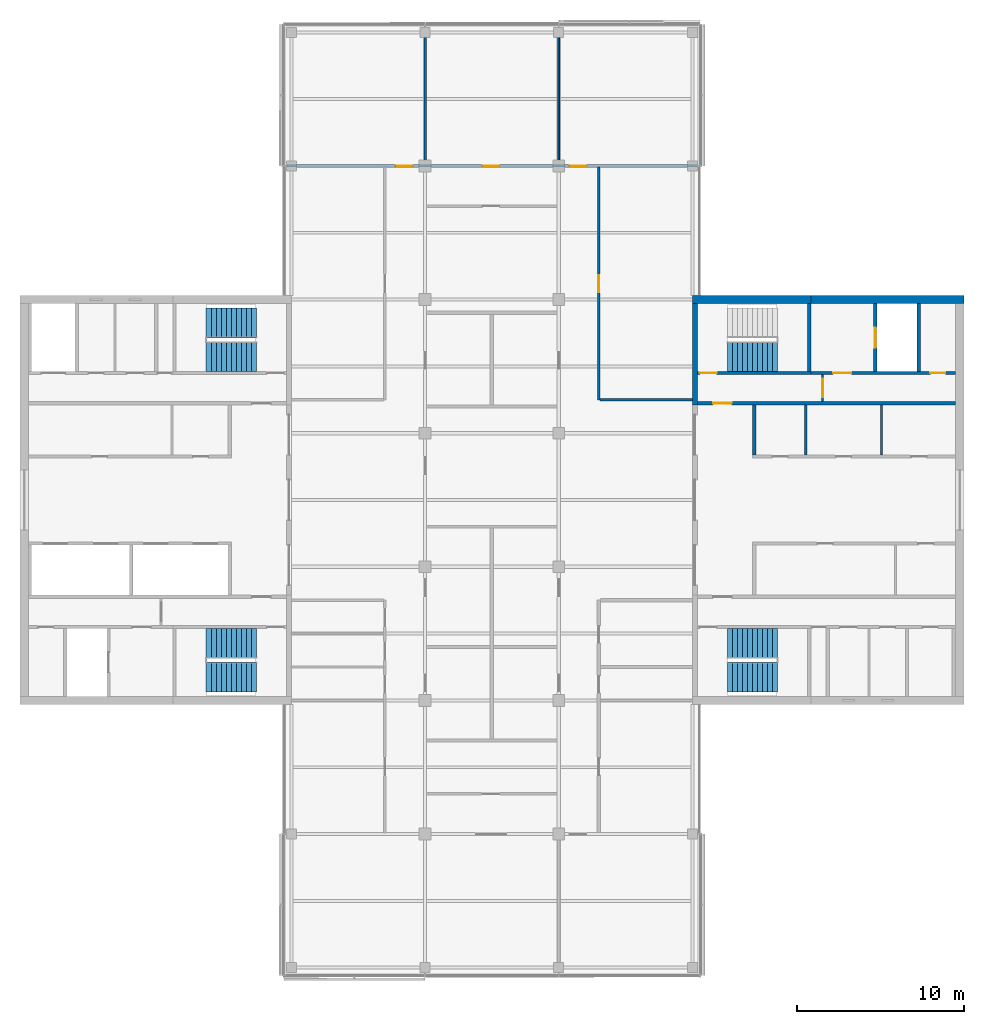
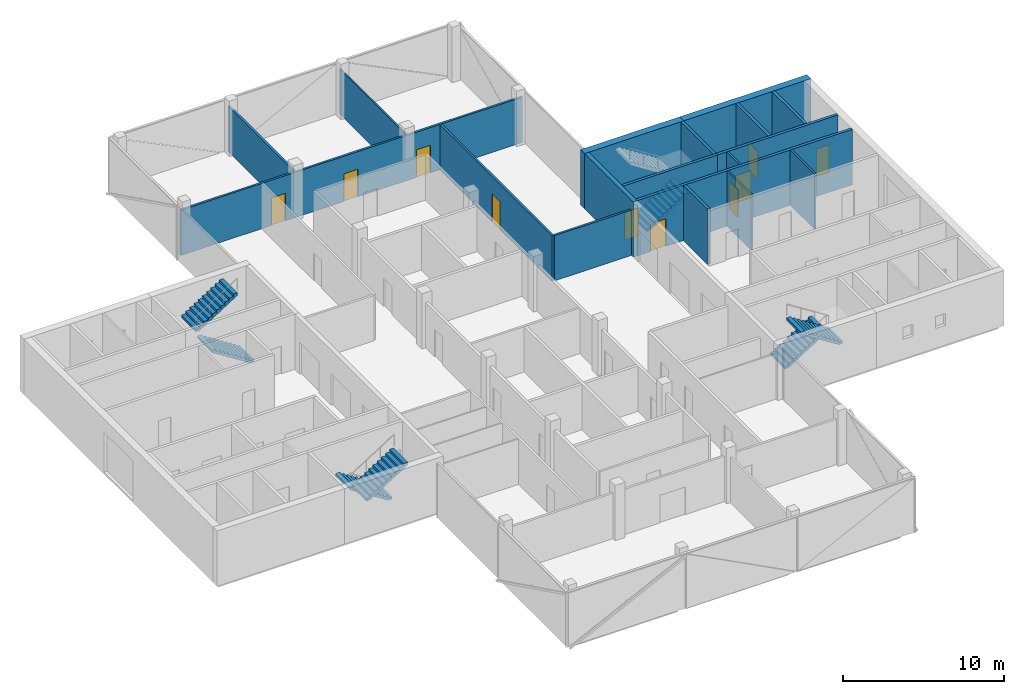
# One storey, part 12 of 16: 18 walls, 10 doors, 7 stair flights, 10 openings, 4 elements without a shape of their own.
"""IFC4 building model written with IfcOpenShell, lengths in metres."""

from ifc_helpers import new_model, si_unit, direction, frame, frame_2d, origin, place, context, subcontext, project, spatial, polyline, rectangle, outline, extrude, material, layer, layer_set, constituent, constituent_set, type_object, element, fill, aggregate, save


model = new_model("IFC4")

# Units and contexts
model_context = context("Model", 3, precision=1e-05, world=origin(), true_north=direction((0.0, 1.0)))
body_context = subcontext(model_context, "Body", "Model", "MODEL_VIEW")
ifc_project = project(units=[si_unit("LENGTHUNIT", "METRE"), si_unit("AREAUNIT", "SQUARE_METRE"), si_unit("VOLUMEUNIT", "CUBIC_METRE"), si_unit("PLANEANGLEUNIT", "RADIAN"), si_unit("MASSUNIT", "GRAM", prefix="KILO")], contexts=[model_context])

# Site, building, storey
site_placement = place(None, origin())
site = spatial("IfcSite", under=ifc_project, at=site_placement, CompositionType="ELEMENT")
building_placement = place(site_placement, origin())
building = spatial("IfcBuilding", under=site, at=building_placement, Name="Crosswind Convention Tower", CompositionType="ELEMENT")
storey_placement = place(building_placement, frame((0.0, 0.0, 287.10009765625)))
storey = spatial("IfcBuildingStorey", under=building, at=storey_placement, Name="L62", CompositionType="ELEMENT", Elevation=287.10009765625)

# Walls
ifc_material_1 = material(Name="Concrete C50/60", Category="concrete")
ifc_layer_1 = layer(ifc_material_1, 0.300048828125)
ifc_layer_set_1 = layer_set([ifc_layer_1], Name="Concrete C50/60")
wall_type_1 = type_object("IfcWallType", Name="Concrete inner core wall 300", PredefinedType="SHEAR", material=ifc_layer_set_1)
wall_1_placement = place(storey_placement, frame((137.14990234375, 105.699951171875, 0.0), z_axis=(0.0, 0.0, 1.0), x_axis=(0.0, 1.0, 0.0)))
element("IfcWall", 1, at=wall_1_placement, inside=storey, type_object=wall_type_1, Name="Wall EP E L62", PredefinedType="SHEAR", context=body_context, shape_type="SweptSolid", body=[
    extrude(rectangle(XDim=6.050048828125, YDim=0.300048828125, at=frame_2d((3.02490234375, 0.0))), origin(), (0.0, 0.0, 1.0), 4.199951171875),
])
ifc_layer_2 = layer(ifc_material_1, 0.199951171875)
ifc_layer_set_2 = layer_set([ifc_layer_2], Name="Concrete C50/60")
wall_type_2 = type_object("IfcWallType", Name="Concrete shaft and stair wall 200", PredefinedType="SHEAR", material=ifc_layer_set_2)
wall_2_placement = place(storey_placement, frame((140.699951171875, 102.699951171875, 0.0), z_axis=(0.0, 0.0, 1.0), x_axis=(0.0, 1.0, 0.0)))
element("IfcWall", 2, at=wall_2_placement, inside=storey, type_object=wall_type_2, Name="Wall RPEND E L62", PredefinedType="SHEAR", context=body_context, shape_type="SweptSolid", body=[
    extrude(rectangle(XDim=3.0, YDim=0.199951171875, at=frame_2d((1.5, 0.0))), origin(), (0.0, 0.0, 1.0), 4.199951171875),
])

# Wall, opening, door
wall_3_placement = place(storey_placement, frame((137.300048828125, 105.800048828125, 0.0), z_axis=(0.0, 0.0, 1.0), x_axis=(1.0, 0.0, 0.0)))
wall_3 = element("IfcWall", 3, at=wall_3_placement, inside=storey, type_object=wall_type_2, Name="Wall HP E L62", PredefinedType="SHEAR", context=body_context, shape_type="SweptSolid", body=[
    extrude(rectangle(XDim=15.449951171875, YDim=0.199951171875, at=frame_2d((7.72509765625, 0.0))), origin(), (0.0, 0.0, 1.0), 4.199951171875),
])
opening_1_placement = place(wall_3_placement, frame((0.949951171875, 0.0, 0.0)))
opening_1 = element("IfcOpeningElement", 4, at=opening_1_placement, cuts=wall_3, Name="Opening D104", PredefinedType="OPENING", context=body_context, shape_type="SweptSolid", body=[
    extrude(rectangle(XDim=1.10009765625, YDim=2.10009765625, at=frame_2d((0.550048828125, 1.050048828125))), frame((0.0, 0.10986328125, 0.0), z_axis=(0.0, -1.0, 0.0), x_axis=(1.0, 0.0, 0.0)), (0.0, 0.0, 1.0), 0.219970703125),
])
ifc_material_2 = material(Name="Steel fire door", Category="steel")
door_type_1 = type_object("IfcDoorType", Name="Fire-rated single door 1100x2100", OperationType="NOTDEFINED", PredefinedType="DOOR", material=ifc_material_2)
door_1_placement = place(opening_1_placement, origin())
door_1 = element("IfcDoor", 5, at=door_1_placement, inside=storey, type_object=door_type_1, Name="Corridor door L62", ObjectType="D104", OperationType="SINGLE_SWING_LEFT", OverallHeight=2.10009765625, OverallWidth=1.10009765625, PredefinedType="DOOR", context=body_context, shape_type="SweptSolid", body=[
    extrude(rectangle(XDim=1.10009765625, YDim=2.10009765625, at=frame_2d((0.550048828125, 1.050048828125))), frame((0.0, 0.02490234375, 0.0), z_axis=(0.0, -1.0, 0.0), x_axis=(1.0, 0.0, 0.0)), (0.0, 0.0, 1.0), 0.050048828125),
])
fill(opening_1, door_1)

# Wall
wall_4_placement = place(storey_placement, frame((144.0, 107.699951171875, 0.0), z_axis=(0.0, 0.0, 1.0), x_axis=(0.0, 1.0, 0.0)))
element("IfcWall", 6, at=wall_4_placement, inside=storey, type_object=wall_type_2, Name="Wall PSE E L62", PredefinedType="SHEAR", context=body_context, shape_type="SweptSolid", body=[
    extrude(rectangle(XDim=4.050048828125, YDim=0.199951171875, at=frame_2d((2.02490234375, 0.0))), origin(), (0.0, 0.0, 1.0), 4.199951171875),
])

# Wall, opening, door
wall_5_placement = place(storey_placement, frame((147.949951171875, 107.699951171875, 0.0), z_axis=(0.0, 0.0, 1.0), x_axis=(0.0, 1.0, 0.0)))
wall_5 = element("IfcWall", 7, at=wall_5_placement, inside=storey, type_object=wall_type_2, Name="Wall PFLW E L62", PredefinedType="SHEAR", context=body_context, shape_type="SweptSolid", body=[
    extrude(rectangle(XDim=4.050048828125, YDim=0.199951171875, at=frame_2d((2.02490234375, 0.0))), origin(), (0.0, 0.0, 1.0), 4.199951171875),
])
opening_2_placement = place(wall_5_placement, frame((1.425048828125, 0.0, 0.0)))
opening_2 = element("IfcOpeningElement", 8, at=opening_2_placement, cuts=wall_5, Name="Opening LD1", PredefinedType="OPENING", context=body_context, shape_type="SweptSolid", body=[
    extrude(rectangle(XDim=1.199951171875, YDim=2.10009765625, at=frame_2d((0.60009765625, 1.050048828125))), frame((0.0, 0.10986328125, 0.0), z_axis=(0.0, -1.0, 0.0), x_axis=(1.0, 0.0, 0.0)), (0.0, 0.0, 1.0), 0.219970703125),
])
ifc_material_3 = material(Name="Stainless steel", Category="steel")
door_type_2 = type_object("IfcDoorType", Name="Lift landing door 1200x2100", OperationType="DOUBLE_DOOR_SLIDING", PredefinedType="DOOR", material=ifc_material_3)
door_2_placement = place(opening_2_placement, origin())
door_2 = element("IfcDoor", 9, at=door_2_placement, inside=storey, type_object=door_type_2, Name="Landing door FF1 L62", ObjectType="LD1", OperationType="DOUBLE_DOOR_SLIDING", OverallHeight=2.10009765625, OverallWidth=1.199951171875, PredefinedType="DOOR", context=body_context, shape_type="SweptSolid", body=[
    extrude(rectangle(XDim=1.199951171875, YDim=2.10009765625, at=frame_2d((0.60009765625, 1.050048828125))), frame((0.0, 0.02490234375, 0.0), z_axis=(0.0, -1.0, 0.0), x_axis=(1.0, 0.0, 0.0)), (0.0, 0.0, 1.0), 0.050048828125),
])
fill(opening_2, door_2)

# Wall
wall_6_placement = place(storey_placement, frame((150.550048828125, 107.699951171875, 0.0), z_axis=(0.0, 0.0, 1.0), x_axis=(0.0, 1.0, 0.0)))
element("IfcWall", 10, at=wall_6_placement, inside=storey, type_object=wall_type_2, Name="Wall PFSE E L62", PredefinedType="SHEAR", context=body_context, shape_type="SweptSolid", body=[
    extrude(rectangle(XDim=4.050048828125, YDim=0.199951171875, at=frame_2d((2.02490234375, 0.0))), origin(), (0.0, 0.0, 1.0), 4.199951171875),
])

# Wall, opening, door
wall_7_placement = place(storey_placement, frame((137.300048828125, 107.60009765625, 0.0), z_axis=(0.0, 0.0, 1.0), x_axis=(1.0, 0.0, 0.0)))
wall_7 = element("IfcWall", 11, at=wall_7_placement, inside=storey, type_object=wall_type_2, Name="Wall PCW E L62", PredefinedType="SHEAR", context=body_context, shape_type="SweptSolid", body=[
    extrude(rectangle(XDim=6.800048828125, YDim=0.199951171875, at=frame_2d((3.39990234375, 0.0))), origin(), (0.0, 0.0, 1.0), 4.199951171875),
])
opening_3_placement = place(wall_7_placement, frame((0.14990234375, 0.0, 0.0)))
opening_3 = element("IfcOpeningElement", 12, at=opening_3_placement, cuts=wall_7, Name="Opening D103", PredefinedType="OPENING", context=body_context, shape_type="SweptSolid", body=[
    extrude(rectangle(XDim=1.0, YDim=2.10009765625, at=frame_2d((0.5, 1.050048828125))), frame((0.0, 0.10986328125, 0.0), z_axis=(0.0, -1.0, 0.0), x_axis=(1.0, 0.0, 0.0)), (0.0, 0.0, 1.0), 0.219970703125),
])
door_type_3 = type_object("IfcDoorType", Name="Fire-rated single door 1000x2100", OperationType="NOTDEFINED", PredefinedType="DOOR", material=ifc_material_2)
door_3_placement = place(opening_3_placement, origin())
door_3 = element("IfcDoor", 13, at=door_3_placement, inside=storey, type_object=door_type_3, Name="Stair ST1 door L62", ObjectType="D103", OperationType="SINGLE_SWING_LEFT", OverallHeight=2.10009765625, OverallWidth=1.0, PredefinedType="DOOR", context=body_context, shape_type="SweptSolid", body=[
    extrude(rectangle(XDim=1.0, YDim=2.10009765625, at=frame_2d((0.5, 1.050048828125))), frame((0.0, 0.02490234375, 0.0), z_axis=(0.0, -1.0, 0.0), x_axis=(1.0, 0.0, 0.0)), (0.0, 0.0, 1.0), 0.050048828125),
])
fill(opening_3, door_3)

# Wall, openings, doors
wall_8_placement = place(storey_placement, frame((144.10009765625, 107.60009765625, 0.0), z_axis=(0.0, 0.0, 1.0), x_axis=(1.0, 0.0, 0.0)))
wall_8 = element("IfcWall", 14, at=wall_8_placement, inside=storey, type_object=wall_type_2, Name="Wall PCX E L62", PredefinedType="SHEAR", context=body_context, shape_type="SweptSolid", body=[
    extrude(rectangle(XDim=8.64990234375, YDim=0.199951171875, at=frame_2d((4.324951171875, 0.0))), origin(), (0.0, 0.0, 1.0), 4.199951171875),
])
opening_4_placement = place(wall_8_placement, frame((1.324951171875, 0.0, 0.0)))
opening_4 = element("IfcOpeningElement", 15, at=opening_4_placement, cuts=wall_8, Name="Opening D104", PredefinedType="OPENING", context=body_context, shape_type="SweptSolid", body=[
    extrude(rectangle(XDim=1.10009765625, YDim=2.10009765625, at=frame_2d((0.550048828125, 1.050048828125))), frame((0.0, 0.10986328125, 0.0), z_axis=(0.0, -1.0, 0.0), x_axis=(1.0, 0.0, 0.0)), (0.0, 0.0, 1.0), 0.219970703125),
])
opening_5_placement = place(wall_8_placement, frame((7.14990234375, 0.0, 0.0)))
opening_5 = element("IfcOpeningElement", 16, at=opening_5_placement, cuts=wall_8, Name="Opening D106", PredefinedType="OPENING", context=body_context, shape_type="SweptSolid", body=[
    extrude(rectangle(XDim=0.89990234375, YDim=2.10009765625, at=frame_2d((0.449951171875, 1.050048828125))), frame((0.0, 0.10986328125, 0.0), z_axis=(0.0, -1.0, 0.0), x_axis=(1.0, 0.0, 0.0)), (0.0, 0.0, 1.0), 0.219970703125),
])
door_4_placement = place(opening_4_placement, origin())
door_4 = element("IfcDoor", 17, at=door_4_placement, inside=storey, type_object=door_type_1, Name="Fire-fighting lobby FF1 door L62", ObjectType="D104", OperationType="SINGLE_SWING_RIGHT", OverallHeight=2.10009765625, OverallWidth=1.10009765625, PredefinedType="DOOR", context=body_context, shape_type="SweptSolid", body=[
    extrude(rectangle(XDim=1.10009765625, YDim=2.10009765625, at=frame_2d((0.550048828125, 1.050048828125))), frame((0.0, 0.02490234375, 0.0), z_axis=(0.0, -1.0, 0.0), x_axis=(1.0, 0.0, 0.0)), (0.0, 0.0, 1.0), 0.050048828125),
])
fill(opening_4, door_4)
ifc_material_4 = material(Name="Timber door", Category="wood")
door_type_4 = type_object("IfcDoorType", Name="Single leaf door 900x2100", OperationType="NOTDEFINED", PredefinedType="DOOR", material=ifc_material_4)
door_5_placement = place(opening_5_placement, origin())
door_5 = element("IfcDoor", 18, at=door_5_placement, inside=storey, type_object=door_type_4, Name="Door to electrical room L62", ObjectType="D106", OperationType="SINGLE_SWING_RIGHT", OverallHeight=2.10009765625, OverallWidth=0.89990234375, PredefinedType="DOOR", context=body_context, shape_type="SweptSolid", body=[
    extrude(rectangle(XDim=0.89990234375, YDim=2.10009765625, at=frame_2d((0.449951171875, 1.050048828125))), frame((0.0, 0.02490234375, 0.0), z_axis=(0.0, -1.0, 0.0), x_axis=(1.0, 0.0, 0.0)), (0.0, 0.0, 1.0), 0.050048828125),
])
fill(opening_5, door_5)

# Walls
ifc_material_5 = material(Name="Gypsum plasterboard partition", Category="gypsum")
ifc_layer_3 = layer(ifc_material_5, 0.125)
ifc_layer_set_3 = layer_set([ifc_layer_3], Name="Drywall partition wall 125")
wall_type_3 = type_object("IfcWallType", Name="Drywall partition wall 125", PredefinedType="PARTITIONING", material=ifc_layer_set_3)
for number, where, z_axis, x_axis, name in (
    (19, (143.78759765625, 102.699951171875, 0.0), (0.0, 0.0, 1.0), (0.0, 1.0, 0.0), "Wall RPP1 E L62"),
    (20, (148.32861328125, 102.699951171875, 0.0), (0.0, 0.0, 1.0), (0.0, 1.0, 0.0), "Wall RPP2 E L62"),
):
    element("IfcWall", number, at=place(storey_placement, frame(where, z_axis=z_axis, x_axis=x_axis)), inside=storey, type_object=wall_type_3, Name=name, PredefinedType="PARTITIONING", context=body_context, shape_type="SweptSolid", body=[
        extrude(rectangle(XDim=3.0, YDim=0.125, at=frame_2d((1.5, 0.0))), origin(), (0.0, 0.0, 1.0), 4.199951171875),
    ])

# Wall, opening, door
wall_9_placement = place(storey_placement, frame((144.800048828125, 105.89990234375, 0.0), z_axis=(0.0, 0.0, 1.0), x_axis=(0.0, 1.0, 0.0)))
wall_9 = element("IfcWall", 21, at=wall_9_placement, inside=storey, type_object=wall_type_3, Name="Wall PXC1 E L62", PredefinedType="PARTITIONING", context=body_context, shape_type="SweptSolid", body=[
    extrude(rectangle(XDim=1.60009765625, YDim=0.125, at=frame_2d((0.800048828125, 0.0))), origin(), (0.0, 0.0, 1.0), 4.199951171875),
])
opening_6_placement = place(wall_9_placement, frame((0.25, 0.0, 0.0)))
opening_6 = element("IfcOpeningElement", 22, at=opening_6_placement, cuts=wall_9, Name="Opening D104", PredefinedType="OPENING", context=body_context, shape_type="SweptSolid", body=[
    extrude(rectangle(XDim=1.10009765625, YDim=2.10009765625, at=frame_2d((0.550048828125, 1.050048828125))), frame((0.0, 0.072509765625, 0.0), z_axis=(0.0, -1.0, 0.0), x_axis=(1.0, 0.0, 0.0)), (0.0, 0.0, 1.0), 0.14501953125),
])
door_6_placement = place(opening_6_placement, origin())
door_6 = element("IfcDoor", 23, at=door_6_placement, inside=storey, type_object=door_type_1, Name="Corridor smoke door L62", ObjectType="D104", OperationType="SINGLE_SWING_RIGHT", OverallHeight=2.10009765625, OverallWidth=1.10009765625, PredefinedType="DOOR", context=body_context, shape_type="SweptSolid", body=[
    extrude(rectangle(XDim=1.10009765625, YDim=2.10009765625, at=frame_2d((0.550048828125, 1.050048828125))), frame((0.0, 0.02490234375, 0.0), z_axis=(0.0, -1.0, 0.0), x_axis=(1.0, 0.0, 0.0)), (0.0, 0.0, 1.0), 0.050048828125),
])
fill(opening_6, door_6)

# Walls
ifc_material_6 = material(Name="Plasterboard partition", Category="gypsum")
ifc_layer_4 = layer(ifc_material_6, 0.10009765625)
ifc_layer_set_4 = layer_set([ifc_layer_4], Name="PARTITION 100 METAL STUD")
wall_type_4 = type_object("IfcWallType", Name="PARTITION 100 METAL STUD", PredefinedType="PARTITIONING", material=ifc_layer_set_4)
wall_10_placement = place(storey_placement, frame((129.0, 120.074951171875, 0.0), z_axis=(0.0, 0.0, 1.0), x_axis=(0.0, 1.0, 0.0)))
element("IfcWall", 24, at=wall_10_placement, inside=storey, type_object=wall_type_4, Name="Partition wall WT40", PredefinedType="PARTITIONING", context=body_context, shape_type="SweptSolid", body=[
    extrude(rectangle(XDim=8.195068359375, YDim=0.10009765625, at=frame_2d((4.09765625, 0.0))), origin(), (0.0, 0.0, 1.0), 3.442626953125),
])
ifc_material_7 = material(Name="Fire-board partition with mineral wool", Category="gypsum")
ifc_layer_5 = layer(ifc_material_7, 0.14990234375)
ifc_layer_set_5 = layer_set([ifc_layer_5], Name="TENANCY WALL 150 TWO-HOUR BOARD")
wall_type_5 = type_object("IfcWallType", Name="TENANCY WALL 150 TWO-HOUR BOARD", PredefinedType="PARTITIONING", material=ifc_layer_set_5)
wall_11_placement = place(storey_placement, frame((121.0, 120.074951171875, 0.0), z_axis=(0.0, 0.0, 1.0), x_axis=(0.0, 1.0, 0.0)))
element("IfcWall", 25, at=wall_11_placement, inside=storey, type_object=wall_type_5, Name="Tenancy wall WT41", PredefinedType="PARTITIONING", context=body_context, shape_type="SweptSolid", body=[
    extrude(rectangle(XDim=8.195068359375, YDim=0.14990234375, at=frame_2d((4.09765625, 0.0))), origin(), (0.0, 0.0, 1.0), 3.442626953125),
])

# Wall, opening, door
wall_12_placement = place(storey_placement, frame((131.39990234375, 106.0, 0.0), z_axis=(0.0, 0.0, 1.0), x_axis=(0.0, 1.0, 0.0)))
wall_12 = element("IfcWall", 26, at=wall_12_placement, inside=storey, type_object=wall_type_5, Name="Tenancy wall WT41", PredefinedType="PARTITIONING", context=body_context, shape_type="SweptSolid", body=[
    extrude(rectangle(XDim=13.925048828125, YDim=0.14990234375, at=frame_2d((6.96240234375, 0.0))), origin(), (0.0, 0.0, 1.0), 3.442626953125),
])
opening_7_placement = place(wall_12_placement, frame((6.449951171875, 0.0, 0.0)))
opening_7 = element("IfcOpeningElement", 27, at=opening_7_placement, cuts=wall_12, Name="Opening L62-50", PredefinedType="OPENING", context=body_context, shape_type="SweptSolid", body=[
    extrude(rectangle(XDim=1.0, YDim=2.10009765625, at=frame_2d((0.5, 1.050048828125))), frame((0.0, 0.0849609375, 0.0), z_axis=(0.0, -1.0, 0.0), x_axis=(1.0, 0.0, 0.0)), (0.0, 0.0, 1.0), 0.169921875),
])
ifc_material_8 = material(Name="Timber fire door", Category="wood")
door_type_5 = type_object("IfcDoorType", Name="TENANCY ENTRANCE DOOR 1000X2100 FD30S", OperationType="NOTDEFINED", PredefinedType="DOOR", material=ifc_material_8)
door_7_placement = place(opening_7_placement, frame((1.0, 0.0, 0.0), z_axis=(0.0, 0.0, 1.0), x_axis=(-1.0, 0.0, 0.0)))
door_7 = element("IfcDoor", 28, at=door_7_placement, inside=storey, type_object=door_type_5, Name="Door L62-50", ObjectType="D41", OperationType="SINGLE_SWING_LEFT", OverallHeight=2.10009765625, OverallWidth=1.0, PredefinedType="DOOR", context=body_context, shape_type="SweptSolid", body=[
    extrude(rectangle(XDim=1.0, YDim=2.10009765625, at=frame_2d((0.5, 1.050048828125))), frame((0.0, 0.02490234375, 0.0), z_axis=(0.0, -1.0, 0.0), x_axis=(1.0, 0.0, 0.0)), (0.0, 0.0, 1.0), 0.050048828125),
])
fill(opening_7, door_7)

# Wall
wall_13_placement = place(storey_placement, frame((131.47509765625, 106.0, 0.0), z_axis=(0.0, 0.0, 1.0), x_axis=(1.0, 0.0, 0.0)))
element("IfcWall", 29, at=wall_13_placement, inside=storey, type_object=wall_type_5, Name="Tenancy wall WT41", PredefinedType="PARTITIONING", context=body_context, shape_type="SweptSolid", body=[
    extrude(rectangle(XDim=5.52490234375, YDim=0.14990234375, at=frame_2d((2.762451171875, 0.0))), origin(), (0.0, 0.0, 1.0), 3.442626953125),
])

# Wall, openings, doors
wall_14_placement = place(storey_placement, frame((112.72998046875, 120.0, 0.0), z_axis=(0.0, 0.0, 1.0), x_axis=(1.0, 0.0, 0.0)))
wall_14 = element("IfcWall", 30, at=wall_14_placement, inside=storey, type_object=wall_type_5, Name="Tenancy wall WT41", PredefinedType="PARTITIONING", context=body_context, shape_type="SweptSolid", body=[
    extrude(rectangle(XDim=24.5400390625, YDim=0.14990234375, at=frame_2d((12.27001953125, 0.0))), origin(), (0.0, 0.0, 1.0), 3.442626953125),
])
opening_8_placement = place(wall_14_placement, frame((6.52001953125, 0.0, 0.0)))
opening_8 = element("IfcOpeningElement", 31, at=opening_8_placement, cuts=wall_14, Name="Opening L62-59", PredefinedType="OPENING", context=body_context, shape_type="SweptSolid", body=[
    extrude(rectangle(XDim=1.0, YDim=2.10009765625, at=frame_2d((0.5, 1.050048828125))), frame((0.0, 0.0849609375, 0.0), z_axis=(0.0, -1.0, 0.0), x_axis=(1.0, 0.0, 0.0)), (0.0, 0.0, 1.0), 0.169921875),
])
opening_9_placement = place(wall_14_placement, frame((11.719970703125, 0.0, 0.0)))
opening_9 = element("IfcOpeningElement", 32, at=opening_9_placement, cuts=wall_14, Name="Opening L62-60", PredefinedType="OPENING", context=body_context, shape_type="SweptSolid", body=[
    extrude(rectangle(XDim=1.0, YDim=2.10009765625, at=frame_2d((0.5, 1.050048828125))), frame((0.0, 0.0849609375, 0.0), z_axis=(0.0, -1.0, 0.0), x_axis=(1.0, 0.0, 0.0)), (0.0, 0.0, 1.0), 0.169921875),
])
opening_10_placement = place(wall_14_placement, frame((16.919921875, 0.0, 0.0)))
opening_10 = element("IfcOpeningElement", 33, at=opening_10_placement, cuts=wall_14, Name="Opening L62-61", PredefinedType="OPENING", context=body_context, shape_type="SweptSolid", body=[
    extrude(rectangle(XDim=1.0, YDim=2.10009765625, at=frame_2d((0.5, 1.050048828125))), frame((0.0, 0.0849609375, 0.0), z_axis=(0.0, -1.0, 0.0), x_axis=(1.0, 0.0, 0.0)), (0.0, 0.0, 1.0), 0.169921875),
])
door_8_placement = place(opening_8_placement, origin())
door_8 = element("IfcDoor", 34, at=door_8_placement, inside=storey, type_object=door_type_5, Name="Door L62-59", ObjectType="D41", OperationType="SINGLE_SWING_RIGHT", OverallHeight=2.10009765625, OverallWidth=1.0, PredefinedType="DOOR", context=body_context, shape_type="SweptSolid", body=[
    extrude(rectangle(XDim=1.0, YDim=2.10009765625, at=frame_2d((0.5, 1.050048828125))), frame((0.0, 0.02490234375, 0.0), z_axis=(0.0, -1.0, 0.0), x_axis=(1.0, 0.0, 0.0)), (0.0, 0.0, 1.0), 0.050048828125),
])
fill(opening_8, door_8)
door_9_placement = place(opening_9_placement, origin())
door_9 = element("IfcDoor", 35, at=door_9_placement, inside=storey, type_object=door_type_5, Name="Door L62-60", ObjectType="D41", OperationType="SINGLE_SWING_LEFT", OverallHeight=2.10009765625, OverallWidth=1.0, PredefinedType="DOOR", context=body_context, shape_type="SweptSolid", body=[
    extrude(rectangle(XDim=1.0, YDim=2.10009765625, at=frame_2d((0.5, 1.050048828125))), frame((0.0, 0.02490234375, 0.0), z_axis=(0.0, -1.0, 0.0), x_axis=(1.0, 0.0, 0.0)), (0.0, 0.0, 1.0), 0.050048828125),
])
fill(opening_9, door_9)
door_10_placement = place(opening_10_placement, origin())
door_10 = element("IfcDoor", 36, at=door_10_placement, inside=storey, type_object=door_type_5, Name="Door L62-61", ObjectType="D41", OperationType="SINGLE_SWING_LEFT", OverallHeight=2.10009765625, OverallWidth=1.0, PredefinedType="DOOR", context=body_context, shape_type="SweptSolid", body=[
    extrude(rectangle(XDim=1.0, YDim=2.10009765625, at=frame_2d((0.5, 1.050048828125))), frame((0.0, 0.02490234375, 0.0), z_axis=(0.0, -1.0, 0.0), x_axis=(1.0, 0.0, 0.0)), (0.0, 0.0, 1.0), 0.050048828125),
])
fill(opening_10, door_10)

# Walls
ifc_material_9 = material(Name="Concrete C60/75", Category="concrete")
ifc_constituent_1 = constituent(ifc_material_9, Name="Structure")
ifc_material_10 = material(Name="Terracotta rainscreen", Category="ceramic")
ifc_constituent_2 = constituent(ifc_material_10, Name="Facing")
ifc_constituent_set = constituent_set(constituents=[ifc_constituent_1, ifc_constituent_2], Name="Concrete C60/75, Terracotta rainscreen")
wall_type_6 = type_object("IfcWallType", Name="Terracotta rainscreen on concrete core wall 500", PredefinedType="SHEAR", material=ifc_constituent_set)
wall_15_placement = place(storey_placement, frame((137.0, 112.0, 0.0), z_axis=(0.0, 0.0, 1.0), x_axis=(1.0, 0.0, 0.0)))
element("IfcWall", 37, at=wall_15_placement, inside=storey, type_object=wall_type_6, Name="Wall N1 E L62", PredefinedType="SHEAR", context=body_context, shape_type="SweptSolid", body=[
    extrude(rectangle(XDim=7.10009765625, YDim=0.5, at=frame_2d((3.550048828125, 0.0))), origin(), (0.0, 0.0, 1.0), 4.199951171875),
])
wall_16_placement = place(storey_placement, frame((144.10009765625, 112.0, 0.0), z_axis=(0.0, 0.0, 1.0), x_axis=(1.0, 0.0, 0.0)))
element("IfcWall", 38, at=wall_16_placement, inside=storey, type_object=wall_type_6, Name="Wall N2 E L62", PredefinedType="SHEAR", context=body_context, shape_type="SweptSolid", body=[
    extrude(rectangle(XDim=9.14990234375, YDim=0.5, at=frame_2d((4.574951171875, 0.0))), origin(), (0.0, 0.0, 1.0), 4.199951171875),
])

# Stair, stair flight
ifc_material_11 = material(Name="Concrete C40/50", Category="concrete")
stair_type = type_object("IfcStairType", Name="Exit stair 1800 wide, 2 flights of 11 risers", PredefinedType="HALF_TURN_STAIR", material=ifc_material_11)
stair_1_placement = place(storey_placement, origin())
stair_1 = element("IfcStair", 39, at=stair_1_placement, inside=storey, type_object=stair_type, Name="Exit stair ST1 L62", ObjectType="ST5", PredefinedType="HALF_TURN_STAIR")
stair_flight_type = type_object("IfcStairFlightType", Name="Stair flight 1800 wide, 11 risers (SF4)", PredefinedType="STRAIGHT", material=ifc_material_11)
stair_flight_1_placement = place(storey_placement, frame((139.10009765625, 108.60009765625, 0.0), z_axis=(0.0, 0.0, 1.0), x_axis=(1.0, 0.0, 0.0)))
stair_flight_1 = element("IfcStairFlight", 40, at=stair_flight_1_placement, type_object=stair_flight_type, Name="ST1 flight 1", NumberOfRisers=11, NumberOfTreads=10, PredefinedType="STRAIGHT", RiserHeight=0.190909091, TreadLength=0.3, context=body_context, shape_type="SweptSolid", body=[
    extrude(outline(polyline([(0.0, 0.0), (0.0, 0.19091796875), (0.300048828125, 0.19091796875), (0.300048828125, 0.3818359375), (0.60009765625, 0.3818359375), (0.60009765625, 0.57275390625), (0.89990234375, 0.57275390625), (0.89990234375, 0.763671875), (1.199951171875, 0.763671875), (1.199951171875, 0.95458984375), (1.5, 0.95458984375), (1.5, 1.1455078125), (1.800048828125, 1.1455078125), (1.800048828125, 1.33642578125), (2.10009765625, 1.33642578125), (2.10009765625, 1.52734375), (2.39990234375, 1.52734375), (2.39990234375, 1.71826171875), (2.699951171875, 1.71826171875), (2.699951171875, 1.9091796875), (3.0, 1.9091796875), (3.0, 2.10009765625), (3.0, 1.7314453125), (0.279296875, 0.0), (0.0, 0.0)])), frame((0.0, 0.89990234375, 0.0), z_axis=(0.0, -1.0, 0.0), x_axis=(1.0, 0.0, 0.0)), (0.0, 0.0, 1.0), 1.800048828125),
])
aggregate(stair_1, [stair_flight_1])

# Stair, stair flights
stair_2_placement = place(storey_placement, origin())
stair_2 = element("IfcStair", 41, at=stair_2_placement, inside=storey, type_object=stair_type, Name="Exit stair ST2 L62", ObjectType="ST5", PredefinedType="HALF_TURN_STAIR")
stair_flight_2_placement = place(storey_placement, frame((139.10009765625, 91.39990234375, 0.0), z_axis=(0.0, 0.0, 1.0), x_axis=(1.0, 0.0, 0.0)))
stair_flight_2 = element("IfcStairFlight", 42, at=stair_flight_2_placement, type_object=stair_flight_type, Name="ST2 flight 1", NumberOfRisers=11, NumberOfTreads=10, PredefinedType="STRAIGHT", RiserHeight=0.190909091, TreadLength=0.3, context=body_context, shape_type="SweptSolid", body=[
    extrude(outline(polyline([(0.0, 0.0), (0.0, 0.19091796875), (0.300048828125, 0.19091796875), (0.300048828125, 0.3818359375), (0.60009765625, 0.3818359375), (0.60009765625, 0.57275390625), (0.89990234375, 0.57275390625), (0.89990234375, 0.763671875), (1.199951171875, 0.763671875), (1.199951171875, 0.95458984375), (1.5, 0.95458984375), (1.5, 1.1455078125), (1.800048828125, 1.1455078125), (1.800048828125, 1.33642578125), (2.10009765625, 1.33642578125), (2.10009765625, 1.52734375), (2.39990234375, 1.52734375), (2.39990234375, 1.71826171875), (2.699951171875, 1.71826171875), (2.699951171875, 1.9091796875), (3.0, 1.9091796875), (3.0, 2.10009765625), (3.0, 1.7314453125), (0.279296875, 0.0), (0.0, 0.0)])), frame((0.0, 0.89990234375, 0.0), z_axis=(0.0, -1.0, 0.0), x_axis=(1.0, 0.0, 0.0)), (0.0, 0.0, 1.0), 1.800048828125),
])
stair_flight_3_placement = place(storey_placement, frame((142.10009765625, 89.39990234375, 2.099853515625), z_axis=(0.0, 0.0, 1.0), x_axis=(-1.0, 0.0, 0.0)))
stair_flight_3 = element("IfcStairFlight", 43, at=stair_flight_3_placement, type_object=stair_flight_type, Name="ST2 flight 2", NumberOfRisers=11, NumberOfTreads=10, PredefinedType="STRAIGHT", RiserHeight=0.190909091, TreadLength=0.3, context=body_context, shape_type="SweptSolid", body=[
    extrude(outline(polyline([(0.0, 0.0), (0.0, 0.19091796875), (0.300048828125, 0.19091796875), (0.300048828125, 0.3818359375), (0.60009765625, 0.3818359375), (0.60009765625, 0.57275390625), (0.89990234375, 0.57275390625), (0.89990234375, 0.763671875), (1.199951171875, 0.763671875), (1.199951171875, 0.95458984375), (1.5, 0.95458984375), (1.5, 1.1455078125), (1.800048828125, 1.1455078125), (1.800048828125, 1.33642578125), (2.10009765625, 1.33642578125), (2.10009765625, 1.52734375), (2.39990234375, 1.52734375), (2.39990234375, 1.71826171875), (2.699951171875, 1.71826171875), (2.699951171875, 1.9091796875), (3.0, 1.9091796875), (3.0, 2.10009765625), (3.0, 1.7314453125), (0.279296875, 0.0), (0.0, 0.0)])), frame((0.0, 0.89990234375, 0.0), z_axis=(0.0, -1.0, 0.0), x_axis=(1.0, 0.0, 0.0)), (0.0, 0.0, 1.0), 1.800048828125),
])
aggregate(stair_2, [stair_flight_2, stair_flight_3])

stair_3_placement = place(storey_placement, origin())
stair_3 = element("IfcStair", 44, at=stair_3_placement, inside=storey, type_object=stair_type, Name="Exit stair ST3 L62", ObjectType="ST5", PredefinedType="HALF_TURN_STAIR")
stair_flight_4_placement = place(storey_placement, frame((110.89990234375, 91.39990234375, 0.0), z_axis=(0.0, 0.0, 1.0), x_axis=(-1.0, 0.0, 0.0)))
stair_flight_4 = element("IfcStairFlight", 45, at=stair_flight_4_placement, type_object=stair_flight_type, Name="ST3 flight 1", NumberOfRisers=11, NumberOfTreads=10, PredefinedType="STRAIGHT", RiserHeight=0.190909091, TreadLength=0.3, context=body_context, shape_type="SweptSolid", body=[
    extrude(outline(polyline([(0.0, 0.0), (0.0, 0.19091796875), (0.300048828125, 0.19091796875), (0.300048828125, 0.3818359375), (0.60009765625, 0.3818359375), (0.60009765625, 0.57275390625), (0.89990234375, 0.57275390625), (0.89990234375, 0.763671875), (1.199951171875, 0.763671875), (1.199951171875, 0.95458984375), (1.5, 0.95458984375), (1.5, 1.1455078125), (1.800048828125, 1.1455078125), (1.800048828125, 1.33642578125), (2.10009765625, 1.33642578125), (2.10009765625, 1.52734375), (2.39990234375, 1.52734375), (2.39990234375, 1.71826171875), (2.699951171875, 1.71826171875), (2.699951171875, 1.9091796875), (3.0, 1.9091796875), (3.0, 2.10009765625), (3.0, 1.7314453125), (0.279296875, 0.0), (0.0, 0.0)])), frame((0.0, 0.89990234375, 0.0), z_axis=(0.0, -1.0, 0.0), x_axis=(1.0, 0.0, 0.0)), (0.0, 0.0, 1.0), 1.800048828125),
])
stair_flight_5_placement = place(storey_placement, frame((107.89990234375, 89.39990234375, 2.099853515625), z_axis=(0.0, 0.0, 1.0), x_axis=(1.0, 0.0, 0.0)))
stair_flight_5 = element("IfcStairFlight", 46, at=stair_flight_5_placement, type_object=stair_flight_type, Name="ST3 flight 2", NumberOfRisers=11, NumberOfTreads=10, PredefinedType="STRAIGHT", RiserHeight=0.190909091, TreadLength=0.3, context=body_context, shape_type="SweptSolid", body=[
    extrude(outline(polyline([(0.0, 0.0), (0.0, 0.19091796875), (0.300048828125, 0.19091796875), (0.300048828125, 0.3818359375), (0.60009765625, 0.3818359375), (0.60009765625, 0.57275390625), (0.89990234375, 0.57275390625), (0.89990234375, 0.763671875), (1.199951171875, 0.763671875), (1.199951171875, 0.95458984375), (1.5, 0.95458984375), (1.5, 1.1455078125), (1.800048828125, 1.1455078125), (1.800048828125, 1.33642578125), (2.10009765625, 1.33642578125), (2.10009765625, 1.52734375), (2.39990234375, 1.52734375), (2.39990234375, 1.71826171875), (2.699951171875, 1.71826171875), (2.699951171875, 1.9091796875), (3.0, 1.9091796875), (3.0, 2.10009765625), (3.0, 1.7314453125), (0.279296875, 0.0), (0.0, 0.0)])), frame((0.0, 0.89990234375, 0.0), z_axis=(0.0, -1.0, 0.0), x_axis=(1.0, 0.0, 0.0)), (0.0, 0.0, 1.0), 1.800048828125),
])
aggregate(stair_3, [stair_flight_4, stair_flight_5])

stair_4_placement = place(storey_placement, origin())
stair_4 = element("IfcStair", 47, at=stair_4_placement, inside=storey, type_object=stair_type, Name="Exit stair ST4 L62", ObjectType="ST5", PredefinedType="HALF_TURN_STAIR")
stair_flight_6_placement = place(storey_placement, frame((110.89990234375, 108.60009765625, 0.0), z_axis=(0.0, 0.0, 1.0), x_axis=(-1.0, 0.0, 0.0)))
stair_flight_6 = element("IfcStairFlight", 48, at=stair_flight_6_placement, type_object=stair_flight_type, Name="ST4 flight 1", NumberOfRisers=11, NumberOfTreads=10, PredefinedType="STRAIGHT", RiserHeight=0.190909091, TreadLength=0.3, context=body_context, shape_type="SweptSolid", body=[
    extrude(outline(polyline([(0.0, 0.0), (0.0, 0.19091796875), (0.300048828125, 0.19091796875), (0.300048828125, 0.3818359375), (0.60009765625, 0.3818359375), (0.60009765625, 0.57275390625), (0.89990234375, 0.57275390625), (0.89990234375, 0.763671875), (1.199951171875, 0.763671875), (1.199951171875, 0.95458984375), (1.5, 0.95458984375), (1.5, 1.1455078125), (1.800048828125, 1.1455078125), (1.800048828125, 1.33642578125), (2.10009765625, 1.33642578125), (2.10009765625, 1.52734375), (2.39990234375, 1.52734375), (2.39990234375, 1.71826171875), (2.699951171875, 1.71826171875), (2.699951171875, 1.9091796875), (3.0, 1.9091796875), (3.0, 2.10009765625), (3.0, 1.7314453125), (0.279296875, 0.0), (0.0, 0.0)])), frame((0.0, 0.89990234375, 0.0), z_axis=(0.0, -1.0, 0.0), x_axis=(1.0, 0.0, 0.0)), (0.0, 0.0, 1.0), 1.800048828125),
])
stair_flight_7_placement = place(storey_placement, frame((107.89990234375, 110.60009765625, 2.099853515625), z_axis=(0.0, 0.0, 1.0), x_axis=(1.0, 0.0, 0.0)))
stair_flight_7 = element("IfcStairFlight", 49, at=stair_flight_7_placement, type_object=stair_flight_type, Name="ST4 flight 2", NumberOfRisers=11, NumberOfTreads=10, PredefinedType="STRAIGHT", RiserHeight=0.190909091, TreadLength=0.3, context=body_context, shape_type="SweptSolid", body=[
    extrude(outline(polyline([(0.0, 0.0), (0.0, 0.19091796875), (0.300048828125, 0.19091796875), (0.300048828125, 0.3818359375), (0.60009765625, 0.3818359375), (0.60009765625, 0.57275390625), (0.89990234375, 0.57275390625), (0.89990234375, 0.763671875), (1.199951171875, 0.763671875), (1.199951171875, 0.95458984375), (1.5, 0.95458984375), (1.5, 1.1455078125), (1.800048828125, 1.1455078125), (1.800048828125, 1.33642578125), (2.10009765625, 1.33642578125), (2.10009765625, 1.52734375), (2.39990234375, 1.52734375), (2.39990234375, 1.71826171875), (2.699951171875, 1.71826171875), (2.699951171875, 1.9091796875), (3.0, 1.9091796875), (3.0, 2.10009765625), (3.0, 1.7314453125), (0.279296875, 0.0), (0.0, 0.0)])), frame((0.0, 0.89990234375, 0.0), z_axis=(0.0, -1.0, 0.0), x_axis=(1.0, 0.0, 0.0)), (0.0, 0.0, 1.0), 1.800048828125),
])
aggregate(stair_4, [stair_flight_6, stair_flight_7])

save(model, "model.ifc")
